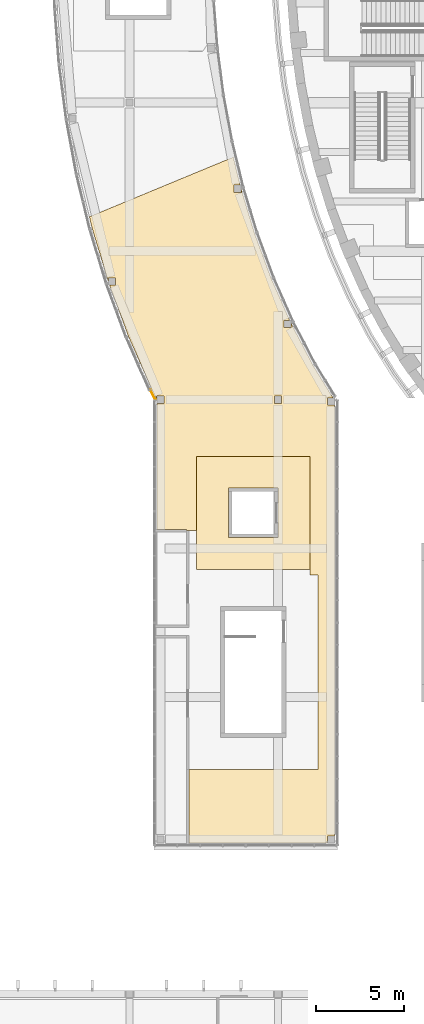
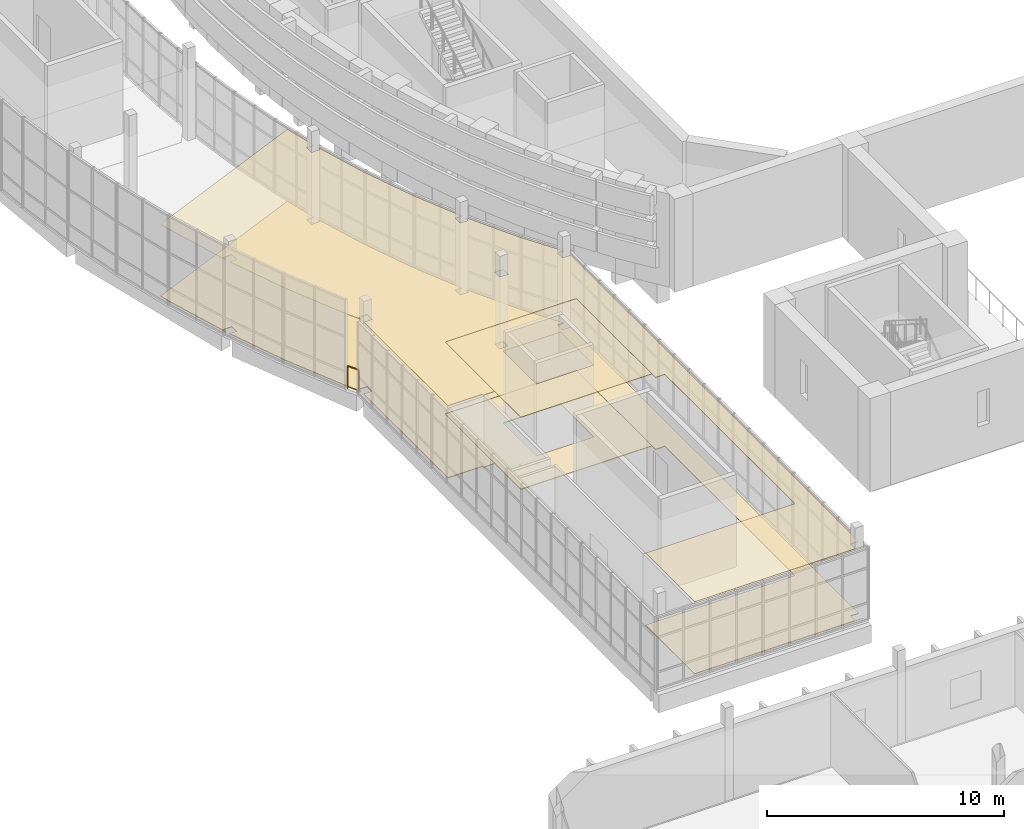
# One storey, part 80 of 103: 4 coverings, 1 railing.
"""IFC4 building model written with IfcOpenShell, lengths in metres."""

from ifc_helpers import new_model, si_unit, direction, frame, origin, origin_2d, place, context, subcontext, project, spatial, polyline, circle, outline, extrude, material, layer, layer_set, type_object, element, save


model = new_model("IFC4")

# Units and contexts
model_context = context("Model", 3, precision=1e-05, world=origin(), true_north=direction((0.0, 1.0)))
body_context = subcontext(model_context, "Body", "Model", "MODEL_VIEW")
ifc_project = project(units=[si_unit("LENGTHUNIT", "METRE"), si_unit("AREAUNIT", "SQUARE_METRE"), si_unit("VOLUMEUNIT", "CUBIC_METRE"), si_unit("PLANEANGLEUNIT", "RADIAN"), si_unit("MASSUNIT", "GRAM", prefix="KILO")], contexts=[model_context])

# Site, building, storey
site_placement = place(None, origin())
site = spatial("IfcSite", under=ifc_project, at=site_placement, CompositionType="ELEMENT")
building_placement = place(site_placement, origin())
building = spatial("IfcBuilding", under=site, at=building_placement, Name="Larchfold Concert Hall", CompositionType="ELEMENT")
storey_placement = place(building_placement, frame((0.0, 0.0, 9.60009765625)))
storey = spatial("IfcBuildingStorey", under=building, at=storey_placement, Name="L02", CompositionType="ELEMENT", Elevation=9.60009765625)

# Coverings
ifc_material_1 = material(Name="Plasterboard ceiling lining")
ifc_layer_1 = layer(ifc_material_1, 0.030029296875)
ifc_layer_set_1 = layer_set([ifc_layer_1], Name="Plasterboard ceiling lining")
covering_type_1 = type_object("IfcCoveringType", Name="Ceiling suspended plasterboard 30", PredefinedType="CEILING", material=ifc_layer_set_1)
covering_1_placement = place(storey_placement, frame((0.0, 0.0, 3.719970703125)))
element("IfcCovering", 1, at=covering_1_placement, inside=storey, type_object=covering_type_1, Name="Ceiling Foyer 05", PredefinedType="CEILING", context=body_context, shape_type="SweptSolid", body=[
    extrude(outline(polyline([(12.801025390625, 49.801025390625), (19.198974609375, 49.801025390625), (19.198974609375, 56.198974609375), (12.801025390625, 56.198974609375), (12.801025390625, 49.801025390625)]), holes=[polyline([(14.60009765625, 54.39990234375), (17.39990234375, 54.39990234375), (17.39990234375, 51.60009765625), (14.60009765625, 51.60009765625), (14.60009765625, 54.39990234375)])]), origin(), (0.0, 0.0, 1.0), 0.030029296875),
])
covering_2_placement = place(storey_placement, frame((0.0, 0.0, 3.719970703125)))
element("IfcCovering", 2, at=covering_2_placement, inside=storey, type_object=covering_type_1, Name="Ceiling Winter Garden Foyer South West", PredefinedType="CEILING", context=body_context, shape_type="SweptSolid", body=[
    extrude(outline(polyline([(7.818115234375, 66.04833984375), (7.818115234375, 66.279052734375), (8.218017578125, 66.279052734375), (8.218017578125, 65.879150390625), (7.87841796875, 65.879150390625), (8.949951171875, 62.97900390625), (10.275146484375, 59.9794921875), (10.55810546875, 59.437255859375), (10.55810546875, 59.599853515625), (10.9580078125, 59.599853515625), (10.9580078125, 59.199951171875), (10.558349609375, 59.199951171875), (10.558349609375, 52.074951171875), (12.22509765625, 52.074951171875), (12.22509765625, 52.0), (12.800048828125, 51.99951171875), (12.800048828125, 56.199951171875), (19.199951171875, 56.199951171875), (19.199462890625, 49.5), (19.650146484375, 49.5), (19.650146484375, 38.5), (12.362548828125, 38.50048828125), (12.362548828125, 34.35009765625), (12.300048828125, 34.349853515625), (20.598876953125, 34.349853515625), (20.198974609375, 34.35009765625), (20.198974609375, 34.75), (20.598876953125, 34.75), (20.598876953125, 59.10107421875), (20.198974609375, 59.10107421875), (20.198974609375, 59.5009765625), (20.510498046875, 59.5009765625), (19.387939453125, 61.3251953125), (18.133056640625, 63.726318359375), (18.133056640625, 63.47998046875), (17.733154296875, 63.47998046875), (17.733154296875, 63.8798828125), (18.06298828125, 63.8798828125), (17.01708984375, 66.24755859375), (16.077880859375, 68.7890625), (15.299072265625, 71.353759765625), (15.299072265625, 71.126953125), (14.899169921875, 71.126953125), (14.899169921875, 71.52685546875), (15.256103515625, 71.52685546875), (14.870849609375, 73.1142578125), (6.736083984375, 69.74462890625), (6.89794921875, 69.077880859375), (7.818115234375, 66.04833984375)]), holes=[polyline([(17.599853515625, 59.199951171875), (17.199951171875, 59.199951171875), (17.199951171875, 59.599853515625), (17.599853515625, 59.599853515625), (17.599853515625, 59.199951171875)])]), origin(), (0.0, 0.0, 1.0), 0.030029296875),
])

# Railing
ifc_material_2 = material(Name="Stainless steel balustrade", Category="steel")
railing_type = type_object("IfcRailingType", Name="Facade guard 1200", PredefinedType="GUARDRAIL", material=ifc_material_2)
railing_placement = place(storey_placement, frame((10.184326171875, 59.9375, 0.0)))
element("IfcRailing", 3, at=railing_placement, inside=storey, type_object=railing_type, Name="Guard GR0095", PredefinedType="GUARDRAIL", context=body_context, shape_type="SweptSolid", body=[
    extrude(circle(Radius=0.02392578125, at=origin_2d()), frame((0.0, 0.0, 1.17578125), z_axis=(0.46279604508, -0.886464788166, 0.0), x_axis=(0.886464788166, 0.46279604508, 0.0)), (0.0, 0.0, 1.0), 0.580322265625),
    extrude(circle(Radius=0.02099609375, at=origin_2d()), origin(), (0.0, 0.0, 1.0), 1.15185546875),
    extrude(circle(Radius=0.02099609375, at=origin_2d()), frame((0.2685546875, -0.514404296875, 0.0)), (0.0, 0.0, 1.0), 1.15185546875),
])

# Coverings
ifc_material_3 = material(Name="Polished terrazzo")
ifc_layer_2 = layer(ifc_material_3, 0.0400390625)
ifc_layer_set_2 = layer_set([ifc_layer_2], Name="Polished terrazzo")
covering_type_2 = type_object("IfcCoveringType", Name="Floor finish terrazzo 40", PredefinedType="FLOORING", material=ifc_layer_set_2)
covering_3_placement = place(storey_placement, origin())
element("IfcCovering", 4, at=covering_3_placement, inside=storey, type_object=covering_type_2, Name="Floor finish Foyer 05", PredefinedType="FLOORING", context=body_context, shape_type="SweptSolid", body=[
    extrude(outline(polyline([(12.801025390625, 49.801025390625), (19.198974609375, 49.801025390625), (19.198974609375, 56.198974609375), (12.801025390625, 56.198974609375), (12.801025390625, 49.801025390625)]), holes=[polyline([(14.60009765625, 54.39990234375), (17.39990234375, 54.39990234375), (17.39990234375, 51.60009765625), (14.60009765625, 51.60009765625), (14.60009765625, 54.39990234375)])]), origin(), (0.0, 0.0, 1.0), 0.0400390625),
])
covering_4_placement = place(storey_placement, origin())
element("IfcCovering", 5, at=covering_4_placement, inside=storey, type_object=covering_type_2, Name="Floor finish Winter Garden Foyer South West", PredefinedType="FLOORING", context=body_context, shape_type="SweptSolid", body=[
    extrude(outline(polyline([(7.818115234375, 66.04833984375), (7.818115234375, 66.279052734375), (8.218017578125, 66.279052734375), (8.218017578125, 65.879150390625), (7.87841796875, 65.879150390625), (8.949951171875, 62.97900390625), (10.275146484375, 59.9794921875), (10.55810546875, 59.437255859375), (10.55810546875, 59.599853515625), (10.9580078125, 59.599853515625), (10.9580078125, 59.199951171875), (10.558349609375, 59.199951171875), (10.558349609375, 52.074951171875), (12.22509765625, 52.074951171875), (12.22509765625, 52.0), (12.800048828125, 51.99951171875), (12.800048828125, 56.199951171875), (19.199951171875, 56.199951171875), (19.199462890625, 49.5), (19.650146484375, 49.5), (19.650146484375, 38.5), (12.362548828125, 38.50048828125), (12.362548828125, 34.35009765625), (12.300048828125, 34.349853515625), (20.598876953125, 34.349853515625), (20.198974609375, 34.35009765625), (20.198974609375, 34.75), (20.598876953125, 34.75), (20.598876953125, 59.10107421875), (20.198974609375, 59.10107421875), (20.198974609375, 59.5009765625), (20.510498046875, 59.5009765625), (19.387939453125, 61.3251953125), (18.133056640625, 63.726318359375), (18.133056640625, 63.47998046875), (17.733154296875, 63.47998046875), (17.733154296875, 63.8798828125), (18.06298828125, 63.8798828125), (17.01708984375, 66.24755859375), (16.077880859375, 68.7890625), (15.299072265625, 71.353759765625), (15.299072265625, 71.126953125), (14.899169921875, 71.126953125), (14.899169921875, 71.52685546875), (15.256103515625, 71.52685546875), (14.870849609375, 73.1142578125), (6.736083984375, 69.74462890625), (6.89794921875, 69.077880859375), (7.818115234375, 66.04833984375)]), holes=[polyline([(17.599853515625, 59.199951171875), (17.199951171875, 59.199951171875), (17.199951171875, 59.599853515625), (17.599853515625, 59.599853515625), (17.599853515625, 59.199951171875)])]), origin(), (0.0, 0.0, 1.0), 0.0400390625),
])

save(model, "model.ifc")
